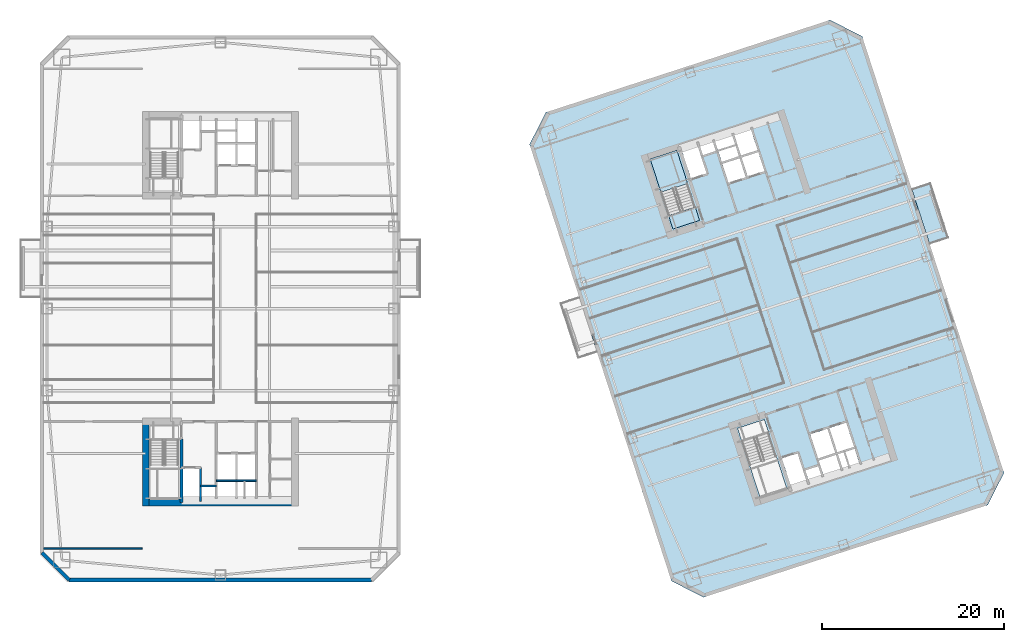
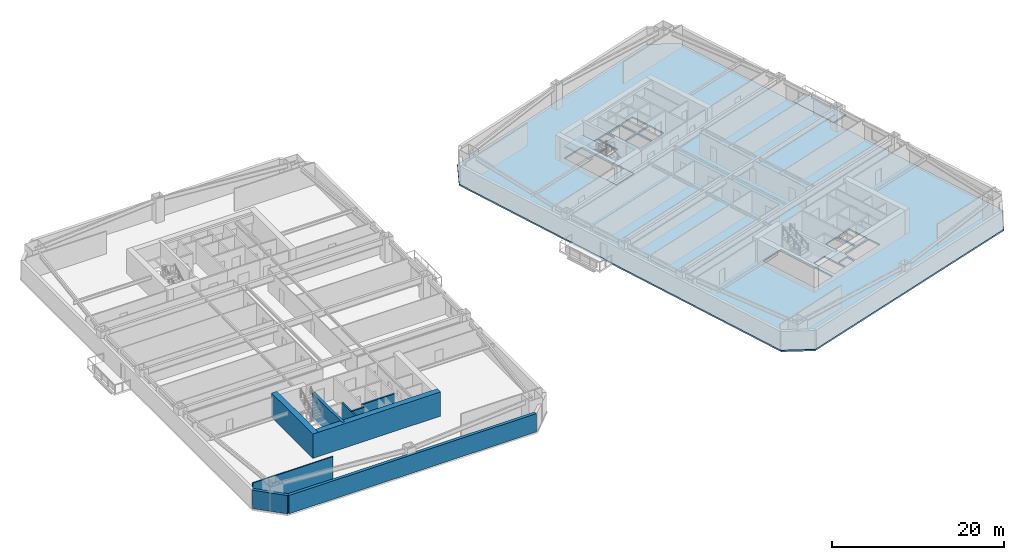
# One storey, part 3 of 15: 9 walls, 4 slabs, 1 element without a shape of its own.
"""IFC4 building model written with IfcOpenShell, lengths in metres."""

from ifc_helpers import new_model, si_unit, direction, frame, frame_2d, origin, place, context, subcontext, project, spatial, polyline, rectangle, outline, extrude, material, layer, layer_set, type_object, element, aggregate, save


model = new_model("IFC4")

# Units and contexts
model_context = context("Model", 3, precision=1e-05, world=origin(), true_north=direction((0.0, 1.0)))
body_context = subcontext(model_context, "Body", "Model", "MODEL_VIEW")
ifc_project = project(units=[si_unit("LENGTHUNIT", "METRE"), si_unit("AREAUNIT", "SQUARE_METRE"), si_unit("VOLUMEUNIT", "CUBIC_METRE"), si_unit("PLANEANGLEUNIT", "RADIAN"), si_unit("MASSUNIT", "GRAM", prefix="KILO")], contexts=[model_context])

# Site, building, storey
site_placement = place(None, origin())
site = spatial("IfcSite", under=ifc_project, at=site_placement, CompositionType="ELEMENT")
building_placement = place(site_placement, origin())
building = spatial("IfcBuilding", under=site, at=building_placement, Name="Qiaolan Cultural Towers", CompositionType="ELEMENT")
storey_placement = place(building_placement, frame((0.0, 0.0, 50.60009765625)))
storey = spatial("IfcBuildingStorey", under=building, at=storey_placement, Name="L11", CompositionType="ELEMENT", Elevation=50.60009765625)

# Slab
ifc_material_1 = material(Name="Concrete C45", Category="concrete")
ifc_layer_1 = layer(ifc_material_1, 0.239990234375)
ifc_layer_set_1 = layer_set([ifc_layer_1], Name="Concrete C45")
slab_type_1 = type_object("IfcSlabType", Name="SL-BAL-240", PredefinedType="FLOOR", material=ifc_layer_set_1)
slab_1_placement = place(storey_placement, frame((0.0, 0.0, -0.239990234375)))
element("IfcSlab", 1, at=slab_1_placement, inside=storey, type_object=slab_type_1, Name="L11 T2 Planted Tree Balcony E", PredefinedType="FLOOR", context=body_context, shape_type="SweptSolid", body=[
    extrude(outline(polyline([(107.889404296875, 41.074462890625), (109.981689453125, 41.754150390625), (108.004150390625, 47.841064453125), (105.911865234375, 47.1611328125), (107.889404296875, 41.074462890625)])), origin(), (0.0, 0.0, 1.0), 0.239990234375),
])

# Stair, slab
ifc_material_2 = material(Name="Concrete C45", Category="concrete")
stair_type = type_object("IfcStairType", Name="STR-CORE-1500", PredefinedType="HALF_TURN_STAIR", material=ifc_material_2)
stair_placement = place(storey_placement, origin())
stair = element("IfcStair", 2, at=stair_placement, inside=storey, type_object=stair_type, Name="L11 Smokeproof Exit Stair ST-E2", PredefinedType="HALF_TURN_STAIR")
ifc_material_3 = material(Name="Concrete C45", Category="concrete")
ifc_layer_2 = layer(ifc_material_3, 0.199951171875)
ifc_layer_set_2 = layer_set([ifc_layer_2], Name="Concrete C45")
slab_type_2 = type_object("IfcSlabType", Name="SL-STAIR-LAND", PredefinedType="LANDING", material=ifc_layer_set_2)
slab_2_placement = place(storey_placement, frame((0.0, 0.0, 1.52490234375)))
slab_2 = element("IfcSlab", 3, at=slab_2_placement, type_object=slab_type_2, Name="ST-E2 landing 1", PredefinedType="LANDING", context=body_context, shape_type="SweptSolid", body=[
    extrude(outline(polyline([(81.31005859375, 47.735595703125), (80.1201171875, 51.3984375), (77.190673828125, 50.44677734375), (78.380859375, 46.783935546875), (81.31005859375, 47.735595703125)])), origin(), (0.0, 0.0, 1.0), 0.199951171875),
])
aggregate(stair, [slab_2])

# Slabs
ifc_material_4 = material(Name="Concrete C40", Category="concrete")
ifc_layer_3 = layer(ifc_material_4, 0.360107421875)
ifc_layer_set_3 = layer_set([ifc_layer_3], Name="Concrete C40")
slab_type_3 = type_object("IfcSlabType", Name="SL-STFLR-360", PredefinedType="LANDING", material=ifc_layer_set_3)
slab_3_placement = place(storey_placement, frame((0.0, 0.0, -0.360107421875)))
element("IfcSlab", 4, at=slab_3_placement, inside=storey, type_object=slab_type_3, Name="L11 ST-E2 Stair Floor Landing Slab", PredefinedType="LANDING", context=body_context, shape_type="SweptSolid", body=[
    extrude(outline(polyline([(82.62060546875, 43.6962890625), (82.141845703125, 45.169677734375), (79.21630859375, 44.21923828125), (79.695068359375, 42.74560546875), (82.62060546875, 43.6962890625)])), origin(), (0.0, 0.0, 1.0), 0.360107421875),
])
ifc_material_5 = material(Name="Concrete C45", Category="concrete")
ifc_layer_4 = layer(ifc_material_5, 0.219970703125)
ifc_layer_set_4 = layer_set([ifc_layer_4], Name="Concrete C45")
slab_type_4 = type_object("IfcSlabType", Name="SL-TYP-220", PredefinedType="FLOOR", material=ifc_layer_set_4)
slab_4_placement = place(storey_placement, frame((0.0, 0.0, -0.22021484375)))
element("IfcSlab", 5, at=slab_4_placement, inside=storey, type_object=slab_type_4, Name="L11 East Tower Floor Slab", PredefinedType="FLOOR", context=body_context, shape_type="SweptSolid", body=[
    extrude(outline(polyline([(83.05517578125, 2.302490234375), (114.249755859375, 12.438232421875), (116.047607421875, 15.966552734375), (100.47314453125, 63.899658203125), (96.94482421875, 65.697509765625), (65.750244140625, 55.561767578125), (63.952392578125, 52.033447265625), (79.52685546875, 4.100341796875), (83.05517578125, 2.302490234375)]), holes=[polyline([(86.80126953125, 20.868896484375), (89.30419921875, 13.165283203125), (92.2333984375, 14.116943359375), (89.73046875, 21.820556640625), (86.80126953125, 20.868896484375)]), polyline([(82.623046875, 43.69482421875), (80.1201171875, 51.3984375), (77.190673828125, 50.44677734375), (79.69384765625, 42.7431640625), (82.623046875, 43.69482421875)]), polyline([(92.666259765625, 14.468017578125), (94.42578125, 15.03955078125), (93.42138671875, 18.130615234375), (91.661865234375, 17.558837890625), (92.666259765625, 14.468017578125)]), polyline([(94.5908203125, 15.14599609375), (96.027099609375, 15.612548828125), (95.66552734375, 16.725341796875), (94.2294921875, 16.258544921875), (94.5908203125, 15.14599609375)]), polyline([(95.643310546875, 17.5380859375), (97.54541015625, 18.15625), (96.68017578125, 20.819091796875), (94.77783203125, 20.201171875), (95.643310546875, 17.5380859375)]), polyline([(97.735595703125, 18.218017578125), (99.58056640625, 18.8173828125), (98.71533203125, 21.48046875), (96.870361328125, 20.880859375), (97.735595703125, 18.218017578125)]), polyline([(96.245849609375, 15.68359375), (100.18310546875, 16.962890625), (99.6484375, 18.608154296875), (95.711181640625, 17.328857421875), (96.245849609375, 15.68359375)]), polyline([(81.6806640625, 48.278076171875), (83.440185546875, 48.849609375), (82.435791015625, 51.940673828125), (80.67626953125, 51.368896484375), (81.6806640625, 48.278076171875)]), polyline([(82.993408203125, 50.839111328125), (84.4296875, 51.3056640625), (84.068115234375, 52.41845703125), (82.632080078125, 51.95166015625), (82.993408203125, 50.839111328125)]), polyline([(85.810302734375, 47.80078125), (87.71240234375, 48.418701171875), (87.013916015625, 50.568115234375), (85.11181640625, 49.9501953125), (85.810302734375, 47.80078125)]), polyline([(87.902587890625, 48.480712890625), (89.74755859375, 49.080078125), (89.04931640625, 51.2294921875), (87.2041015625, 50.6298828125), (87.902587890625, 48.480712890625)]), polyline([(85.05322265625, 50.130859375), (86.936279296875, 50.74267578125), (86.169921875, 53.101318359375), (84.286865234375, 52.489501953125), (85.05322265625, 50.130859375)]), polyline([(87.1455078125, 50.810791015625), (88.990478515625, 51.41015625), (88.22412109375, 53.768798828125), (86.379150390625, 53.169189453125), (87.1455078125, 50.810791015625)])]), origin(), (0.0, 0.0, 1.0), 0.22021484375),
])

# Walls
ifc_material_6 = material(Name="Concrete C50", Category="concrete")
ifc_layer_5 = layer(ifc_material_6, 0.35009765625)
ifc_layer_set_5 = layer_set([ifc_layer_5], Name="Concrete C50")
wall_type_1 = type_object("IfcWallType", Name="WL-CORE-350", PredefinedType="SHEAR", material=ifc_layer_set_5)
wall_1_placement = place(storey_placement, frame((25.719970703125, 19.699951171875, 0.0), z_axis=(0.0, 0.0, 1.0), x_axis=(0.0, -1.0, 0.0)))
element("IfcWall", 6, at=wall_1_placement, inside=storey, type_object=wall_type_1, Name="L11 T1-CS Stair Core Dividing Web", PredefinedType="SHEAR", context=body_context, shape_type="SweptSolid", body=[
    extrude(rectangle(XDim=6.97998046875, YDim=0.35009765625, at=frame_2d((3.489990234375, 0.0))), origin(), (0.0, 0.0, 1.0), 3.449951171875),
])
ifc_material_7 = material(Name="Concrete C60", Category="concrete")
ifc_layer_6 = layer(ifc_material_7, 0.75)
ifc_layer_set_6 = layer_set([ifc_layer_6], Name="Concrete C60")
wall_type_2 = type_object("IfcWallType", Name="WL-CORE-750", PredefinedType="SHEAR", material=ifc_layer_set_6)
wall_2_placement = place(storey_placement, frame((21.425048828125, 12.719970703125, 0.0), z_axis=(0.0, 0.0, 1.0), x_axis=(1.0, 0.0, 0.0)))
element("IfcWall", 7, at=wall_2_placement, inside=storey, type_object=wall_type_2, Name="L11 T1-CS Outer Core Shear Wall", PredefinedType="SHEAR", context=body_context, shape_type="SweptSolid", body=[
    extrude(rectangle(XDim=17.14990234375, YDim=0.75, at=frame_2d((8.574951171875, 0.0))), origin(), (0.0, 0.0, 1.0), 3.449951171875),
])
wall_3_placement = place(storey_placement, frame((21.800048828125, 21.97509765625, 0.0), z_axis=(0.0, 0.0, 1.0), x_axis=(0.0, -1.0, 0.0)))
element("IfcWall", 8, at=wall_3_placement, inside=storey, type_object=wall_type_2, Name="L11 T1-CS West Core Shear Wall", PredefinedType="SHEAR", context=body_context, shape_type="SweptSolid", body=[
    extrude(rectangle(XDim=9.630126953125, YDim=0.75, at=frame_2d((4.81494140625, 0.0))), origin(), (0.0, 0.0, 1.0), 3.449951171875),
])
ifc_material_8 = material(Name="Precast Concrete C50 Honed Stone Pier", Category="masonry")
ifc_layer_7 = layer(ifc_material_8, 0.39990234375)
ifc_layer_set_7 = layer_set([ifc_layer_7], Name="Precast Concrete C50 Honed Stone Pier")
wall_type_3 = type_object("IfcWallType", Name="WL-EXT-PIER-400", PredefinedType="SOLIDWALL", material=ifc_layer_set_7)
wall_4_placement = place(storey_placement, frame((46.60009765625, 4.199951171875, 0.0), z_axis=(0.0, 0.0, 1.0), x_axis=(-1.0, 0.0, 0.0)))
element("IfcWall", 9, at=wall_4_placement, inside=storey, type_object=wall_type_3, Name="L11 West Tower Precast Pier Facade Wall F7", PredefinedType="SOLIDWALL", context=body_context, shape_type="SweptSolid", body=[
    extrude(rectangle(XDim=33.2001953125, YDim=0.39990234375, at=frame_2d((16.60009765625, 0.0))), origin(), (0.0, 0.0, 1.0), 2.60986328125),
])
wall_5_placement = place(storey_placement, frame((13.39990234375, 4.199951171875, 0.0), z_axis=(0.0, 0.0, 1.0), x_axis=(-0.707106781187, 0.707106781187, 0.0)))
element("IfcWall", 10, at=wall_5_placement, inside=storey, type_object=wall_type_3, Name="L11 West Tower Precast Pier Facade Wall F8", PredefinedType="SOLIDWALL", context=body_context, shape_type="SweptSolid", body=[
    extrude(rectangle(XDim=4.24267578125, YDim=0.39990234375, at=frame_2d((2.121337890625, 0.0))), origin(), (0.0, 0.0, 1.0), 2.60986328125),
])
ifc_material_9 = material(Name="Concrete C35 Fire Wall", Category="concrete")
ifc_layer_8 = layer(ifc_material_9, 0.199951171875)
ifc_layer_set_8 = layer_set([ifc_layer_8], Name="Concrete C35 Fire Wall")
wall_type_4 = type_object("IfcWallType", Name="WL-FIRE-200", PredefinedType="PARTITIONING", material=ifc_layer_set_8)
wall_6_placement = place(storey_placement, frame((27.820068359375, 16.550048828125, 0.0), z_axis=(0.0, 0.0, 1.0), x_axis=(0.0, -1.0, 0.0)))
element("IfcWall", 11, at=wall_6_placement, inside=storey, type_object=wall_type_4, Name="L11 T1-CS Firefighting Hoistway East Wall", PredefinedType="PARTITIONING", context=body_context, shape_type="SweptSolid", body=[
    extrude(rectangle(XDim=3.699951171875, YDim=0.199951171875, at=frame_2d((1.85009765625, 0.0))), origin(), (0.0, 0.0, 1.0), 3.1748046875),
])
wall_7_placement = place(storey_placement, frame((27.820068359375, 14.52001953125, 0.0), z_axis=(0.0, 0.0, 1.0), x_axis=(1.0, 0.0, 0.0)))
element("IfcWall", 12, at=wall_7_placement, inside=storey, type_object=wall_type_4, Name="L11 T1-CS Pressurization Shaft Front Wall", PredefinedType="PARTITIONING", context=body_context, shape_type="SweptSolid", body=[
    extrude(rectangle(XDim=1.72998046875, YDim=0.199951171875, at=frame_2d((0.864990234375, 0.0))), origin(), (0.0, 0.0, 1.0), 3.1748046875),
])
wall_8_placement = place(storey_placement, frame((29.550048828125, 15.10009765625, 0.0), z_axis=(0.0, 0.0, 1.0), x_axis=(1.0, 0.0, 0.0)))
element("IfcWall", 13, at=wall_8_placement, inside=storey, type_object=wall_type_4, Name="L11 T1-CS Passenger Lift Shaft Back Wall", PredefinedType="PARTITIONING", context=body_context, shape_type="SweptSolid", body=[
    extrude(rectangle(XDim=4.39990234375, YDim=0.199951171875, at=frame_2d((2.199951171875, 0.0))), origin(), (0.0, 0.0, 1.0), 3.1748046875),
])
ifc_material_10 = material(Name="Autoclaved Aerated Concrete Block B06", Category="concrete")
ifc_layer_9 = layer(ifc_material_10, 0.14990234375)
ifc_layer_set_9 = layer_set([ifc_layer_9], Name="Autoclaved Aerated Concrete Block B06")
wall_type_5 = type_object("IfcWallType", Name="WL-PART-150", PredefinedType="PARTITIONING", material=ifc_layer_set_9)
wall_9_placement = place(storey_placement, frame((10.60009765625, 7.64990234375, 0.0), z_axis=(0.0, 0.0, 1.0), x_axis=(1.0, 0.0, 0.0)))
element("IfcWall", 14, at=wall_9_placement, inside=storey, type_object=wall_type_5, Name="L11 T1 Flank Wall FLK-SW", PredefinedType="PARTITIONING", context=body_context, shape_type="SweptSolid", body=[
    extrude(rectangle(XDim=10.7998046875, YDim=0.14990234375, at=frame_2d((5.39990234375, 0.0))), origin(), (0.0, 0.0, 1.0), 3.1748046875),
])

save(model, "model.ifc")
